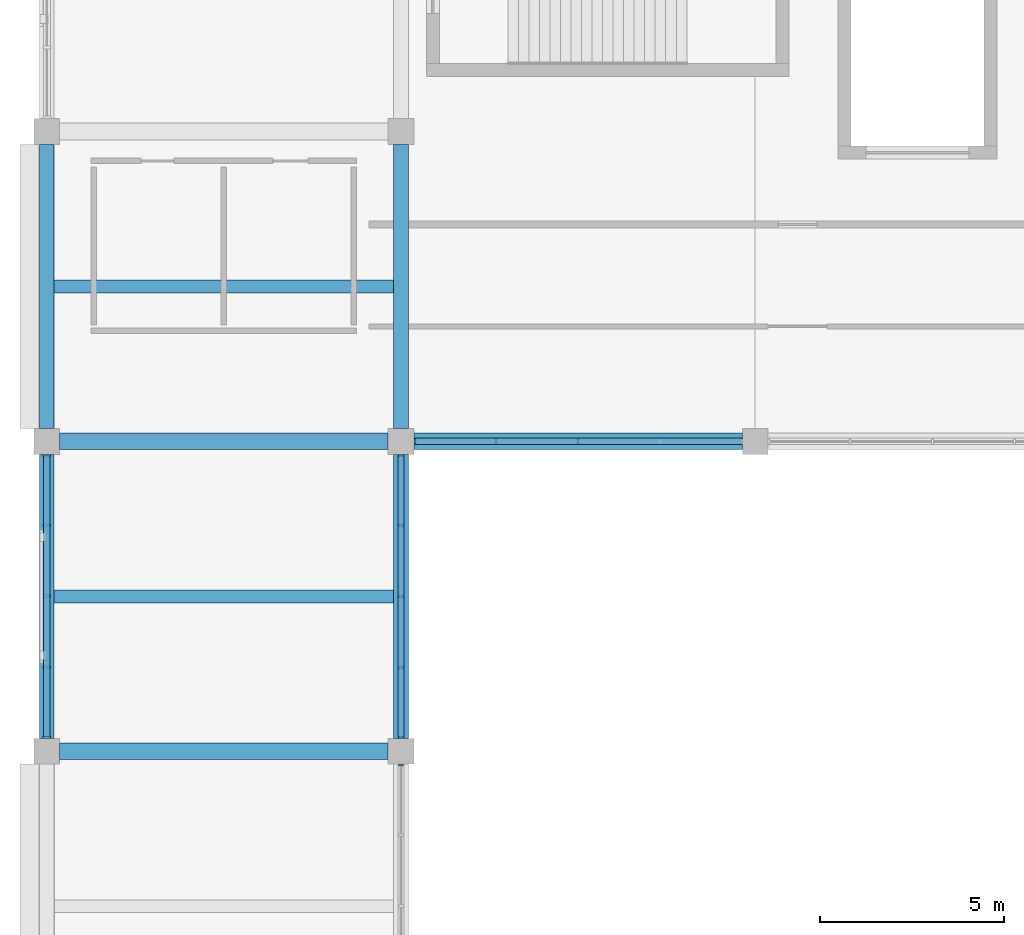
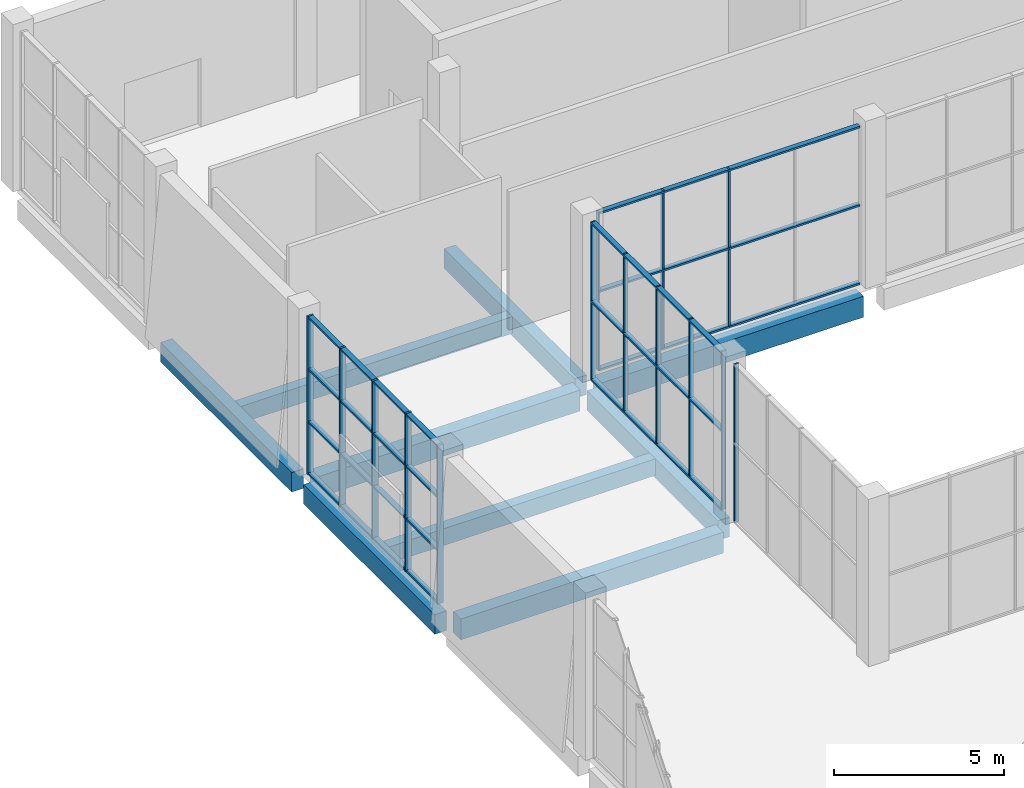
# One storey, part 22 of 84: 24 members, 9 beams, 4 elements without a shape of their own.
"""IFC4 building model written with IfcOpenShell, lengths in metres."""

from ifc_helpers import new_model, si_unit, direction, frame, origin, origin_2d, place, context, subcontext, project, spatial, rectangle, extrude, material, material_profile, profile_set, type_object, element, aggregate, save


model = new_model("IFC4")

# Units and contexts
model_context = context("Model", 3, precision=1e-05, world=origin(), true_north=direction((0.0, 1.0)))
body_context = subcontext(model_context, "Body", "Model", "MODEL_VIEW")
ifc_project = project(units=[si_unit("LENGTHUNIT", "METRE"), si_unit("AREAUNIT", "SQUARE_METRE"), si_unit("VOLUMEUNIT", "CUBIC_METRE"), si_unit("PLANEANGLEUNIT", "RADIAN"), si_unit("MASSUNIT", "GRAM", prefix="KILO")], contexts=[model_context])

# Site, building, storey
site_placement = place(None, origin())
site = spatial("IfcSite", under=ifc_project, at=site_placement, CompositionType="ELEMENT")
building_placement = place(site_placement, origin())
building = spatial("IfcBuilding", under=site, at=building_placement, Name="Shalvenor Court Art Gallery", CompositionType="ELEMENT")
storey_placement = place(building_placement, origin())
storey = spatial("IfcBuildingStorey", under=building, at=storey_placement, Name="L00", CompositionType="ELEMENT", Elevation=0.0)

# Beams
ifc_material_1 = material(Name="Concrete C40/50", Category="concrete")
ifc_material_profile_1 = material_profile(ifc_material_1, rectangle(XDim=0.449951171875, YDim=0.75, at=origin_2d()), Name="RC 450x750")
ifc_profile_set_1 = profile_set([ifc_material_profile_1], Name="Concrete C40/50")
beam_type_1 = type_object("IfcBeamType", Name="B-04", PredefinedType="BEAM", material=ifc_profile_set_1)
for number, where, z_axis, x_axis, name in (
    (1, (0.35009765625, 97.199951171875, -0.715087890625), (1.0, 0.0, 0.0), (0.0, 1.0, 0.0), "L00 Girder BM-L00-B-04-0237"),
    (2, (0.35009765625, 105.60009765625, -0.715087890625), (1.0, 0.0, 0.0), (0.0, 1.0, 0.0), "L00 Girder BM-L00-B-04-0251"),
):
    element("IfcBeam", number, at=place(storey_placement, frame(where, z_axis=z_axis, x_axis=x_axis)), inside=storey, type_object=beam_type_1, Name=name, PredefinedType="BEAM", context=body_context, shape_type="SweptSolid", body=[
        extrude(rectangle(XDim=0.449951171875, YDim=0.75, at=origin_2d()), origin(), (0.0, 0.0, 1.0), 8.89990234375),
    ])
beam_placement = place(storey_placement, frame((9.949951171875, 105.60009765625, -0.715087890625), z_axis=(1.0, 0.0, 0.0), x_axis=(0.0, 1.0, 0.0)))
element("IfcBeam", 3, at=beam_placement, inside=storey, type_object=beam_type_1, Name="L00 Girder BM-L00-B-04-0252", PredefinedType="BEAM", context=body_context, shape_type="SweptSolid", body=[
    extrude(rectangle(XDim=0.449951171875, YDim=0.75, at=origin_2d()), origin(), (0.0, 0.0, 1.0), 8.900146484375),
])
ifc_material_2 = material(Name="Concrete C40/50", Category="concrete")
ifc_material_profile_2 = material_profile(ifc_material_2, rectangle(XDim=0.39990234375, YDim=0.699951171875, at=origin_2d()), Name="RC 400x700")
ifc_profile_set_2 = profile_set([ifc_material_profile_2], Name="Concrete C40/50")
beam_type_2 = type_object("IfcBeamType", Name="B-05", PredefinedType="BEAM", material=ifc_profile_set_2)
for number, where, z_axis, x_axis, name in (
    (4, (0.0, 97.550048828125, -0.68994140625), (0.0, 1.0, 0.0), (-1.0, 0.0, 0.0), "L00 Girder BM-L00-B-05-0007"),
    (5, (0.0, 105.949951171875, -0.68994140625), (0.0, 1.0, 0.0), (-1.0, 0.0, 0.0), "L00 Girder BM-L00-B-05-0008"),
    (6, (9.60009765625, 97.550048828125, -0.68994140625), (0.0, 1.0, 0.0), (-1.0, 0.0, 0.0), "L00 Girder BM-L00-B-05-0015"),
    (7, (9.60009765625, 105.949951171875, -0.68994140625), (0.0, 1.0, 0.0), (-1.0, 0.0, 0.0), "L00 Girder BM-L00-B-05-0016"),
):
    element("IfcBeam", number, at=place(storey_placement, frame(where, z_axis=z_axis, x_axis=x_axis)), inside=storey, type_object=beam_type_2, Name=name, PredefinedType="BEAM", context=body_context, shape_type="SweptSolid", body=[
        extrude(rectangle(XDim=0.39990234375, YDim=0.699951171875, at=origin_2d()), origin(), (0.0, 0.0, 1.0), 7.699951171875),
    ])

# Curtain wall, members
ifc_material_3 = material(Name="Anodised aluminium and low-iron glass curtain wall", Category="aluminium")
curtain_wall_type_1 = type_object("IfcCurtainWallType", Name="CW-4x3-77-57-221", PredefinedType="USERDEFINED", material=ifc_material_3)
curtain_wall_1_placement = place(storey_placement, origin())
curtain_wall_1 = element("IfcCurtainWall", 8, at=curtain_wall_1_placement, inside=storey, type_object=curtain_wall_type_1, Name="L00 V5 Curtain Wall CW-L00-157", ObjectType="CURTAIN WALL", PredefinedType="USERDEFINED")
ifc_material_4 = material(Name="Anodised aluminium mullion", Category="aluminium")
ifc_material_profile_3 = material_profile(ifc_material_4, rectangle(XDim=0.070068359375, YDim=0.199951171875, at=origin_2d()), Name="CWM-02")
ifc_profile_set_3 = profile_set([ifc_material_profile_3], Name="Anodised aluminium mullion")
member_type_1 = type_object("IfcMemberType", Name="CWM-02", PredefinedType="MULLION", material=ifc_profile_set_3)
member_1_placement = place(storey_placement, frame((0.0, 97.5849609375, 0.0), z_axis=(0.0, 0.0, 1.0), x_axis=(0.0, 1.0, 0.0)))
member_1 = element("IfcMember", 9, at=member_1_placement, type_object=member_type_1, Name="CW-4x3-77-57-221 mullion 1", PredefinedType="MULLION", context=body_context, shape_type="SweptSolid", body=[
    extrude(rectangle(XDim=0.070068359375, YDim=0.199951171875, at=origin_2d()), origin(), (0.0, 0.0, 1.0), 5.679931640625),
])
member_2_placement = place(storey_placement, frame((0.0, 99.47509765625, 0.0), z_axis=(0.0, 0.0, 1.0), x_axis=(0.0, 1.0, 0.0)))
member_2 = element("IfcMember", 10, at=member_2_placement, type_object=member_type_1, Name="CW-4x3-77-57-221 mullion 2", PredefinedType="MULLION", context=body_context, shape_type="SweptSolid", body=[
    extrude(rectangle(XDim=0.070068359375, YDim=0.199951171875, at=origin_2d()), origin(), (0.0, 0.0, 1.0), 5.679931640625),
])
member_3_placement = place(storey_placement, frame((0.0, 101.39990234375, 0.0), z_axis=(0.0, 0.0, 1.0), x_axis=(0.0, 1.0, 0.0)))
member_3 = element("IfcMember", 11, at=member_3_placement, type_object=member_type_1, Name="CW-4x3-77-57-221 mullion 3", PredefinedType="MULLION", context=body_context, shape_type="SweptSolid", body=[
    extrude(rectangle(XDim=0.070068359375, YDim=0.199951171875, at=origin_2d()), origin(), (0.0, 0.0, 1.0), 5.679931640625),
])
member_4_placement = place(storey_placement, frame((0.0, 103.324951171875, 0.0), z_axis=(0.0, 0.0, 1.0), x_axis=(0.0, 1.0, 0.0)))
member_4 = element("IfcMember", 12, at=member_4_placement, type_object=member_type_1, Name="CW-4x3-77-57-221 mullion 4", PredefinedType="MULLION", context=body_context, shape_type="SweptSolid", body=[
    extrude(rectangle(XDim=0.070068359375, YDim=0.199951171875, at=origin_2d()), origin(), (0.0, 0.0, 1.0), 5.679931640625),
])
member_5_placement = place(storey_placement, frame((0.0, 105.215087890625, 0.0), z_axis=(0.0, 0.0, 1.0), x_axis=(0.0, 1.0, 0.0)))
member_5 = element("IfcMember", 13, at=member_5_placement, type_object=member_type_1, Name="CW-4x3-77-57-221 mullion 5", PredefinedType="MULLION", context=body_context, shape_type="SweptSolid", body=[
    extrude(rectangle(XDim=0.070068359375, YDim=0.199951171875, at=origin_2d()), origin(), (0.0, 0.0, 1.0), 5.679931640625),
])

ifc_material_5 = material(Name="Anodised aluminium and low-iron glass curtain wall", Category="aluminium")
curtain_wall_type_2 = type_object("IfcCurtainWallType", Name="CW-CT-4-89", PredefinedType="USERDEFINED", material=ifc_material_5)
curtain_wall_2_placement = place(storey_placement, origin())
curtain_wall_2 = element("IfcCurtainWall", 14, at=curtain_wall_2_placement, inside=storey, type_object=curtain_wall_type_2, Name="L00 Studios Courtyard Curtain Wall CW-CRT-L00-164", ObjectType="CURTAIN WALL", PredefinedType="USERDEFINED")
ifc_material_6 = material(Name="Anodised aluminium mullion", Category="aluminium")
ifc_material_profile_4 = material_profile(ifc_material_6, rectangle(XDim=0.054931640625, YDim=0.139892578125, at=origin_2d()), Name="CWM-06")
ifc_profile_set_4 = profile_set([ifc_material_profile_4], Name="Anodised aluminium mullion")
member_type_2 = type_object("IfcMemberType", Name="CWM-06", PredefinedType="MULLION", material=ifc_profile_set_4)
member_6_placement = place(storey_placement, frame((14.39990234375, 105.60009765625, 0.0), z_axis=(0.0, 0.0, 1.0), x_axis=(-1.0, 0.0, 0.0)))
member_6 = element("IfcMember", 15, at=member_6_placement, type_object=member_type_2, Name="CW-CT-4-89 mullion 3", PredefinedType="MULLION", context=body_context, shape_type="SweptSolid", body=[
    extrude(rectangle(XDim=0.054931640625, YDim=0.139892578125, at=origin_2d()), origin(), (0.0, 0.0, 1.0), 5.679931640625),
])
member_7_placement = place(storey_placement, frame((12.175048828125, 105.60009765625, 0.0), z_axis=(0.0, 0.0, 1.0), x_axis=(-1.0, 0.0, 0.0)))
member_7 = element("IfcMember", 16, at=member_7_placement, type_object=member_type_2, Name="CW-CT-4-89 mullion 4", PredefinedType="MULLION", context=body_context, shape_type="SweptSolid", body=[
    extrude(rectangle(XDim=0.054931640625, YDim=0.139892578125, at=origin_2d()), origin(), (0.0, 0.0, 1.0), 5.679931640625),
])
member_8_placement = place(storey_placement, frame((9.9775390625, 105.60009765625, 0.0), z_axis=(0.0, 0.0, 1.0), x_axis=(-1.0, 0.0, 0.0)))
member_8 = element("IfcMember", 17, at=member_8_placement, type_object=member_type_2, Name="CW-CT-4-89 mullion 5", PredefinedType="MULLION", context=body_context, shape_type="SweptSolid", body=[
    extrude(rectangle(XDim=0.054931640625, YDim=0.139892578125, at=origin_2d()), origin(), (0.0, 0.0, 1.0), 5.679931640625),
])

ifc_material_7 = material(Name="Anodised aluminium and low-iron glass curtain wall", Category="aluminium")
curtain_wall_type_3 = type_object("IfcCurtainWallType", Name="CW-CT-4-77", PredefinedType="USERDEFINED", material=ifc_material_7)
curtain_wall_3_placement = place(storey_placement, origin())
curtain_wall_3 = element("IfcCurtainWall", 18, at=curtain_wall_3_placement, inside=storey, type_object=curtain_wall_type_3, Name="L00 Studios Courtyard Curtain Wall CW-CRT-L00-165", ObjectType="CURTAIN WALL", PredefinedType="USERDEFINED")
member_9_placement = place(storey_placement, frame((9.60009765625, 105.222412109375, 0.0), z_axis=(0.0, 0.0, 1.0), x_axis=(0.0, -1.0, 0.0)))
member_9 = element("IfcMember", 19, at=member_9_placement, type_object=member_type_2, Name="CW-CT-4-77 mullion 1", PredefinedType="MULLION", context=body_context, shape_type="SweptSolid", body=[
    extrude(rectangle(XDim=0.054931640625, YDim=0.139892578125, at=origin_2d()), origin(), (0.0, 0.0, 1.0), 5.679931640625),
])
member_10_placement = place(storey_placement, frame((9.60009765625, 103.324951171875, 0.0), z_axis=(0.0, 0.0, 1.0), x_axis=(0.0, -1.0, 0.0)))
member_10 = element("IfcMember", 20, at=member_10_placement, type_object=member_type_2, Name="CW-CT-4-77 mullion 2", PredefinedType="MULLION", context=body_context, shape_type="SweptSolid", body=[
    extrude(rectangle(XDim=0.054931640625, YDim=0.139892578125, at=origin_2d()), origin(), (0.0, 0.0, 1.0), 5.679931640625),
])
member_11_placement = place(storey_placement, frame((9.60009765625, 101.39990234375, 0.0), z_axis=(0.0, 0.0, 1.0), x_axis=(0.0, -1.0, 0.0)))
member_11 = element("IfcMember", 21, at=member_11_placement, type_object=member_type_2, Name="CW-CT-4-77 mullion 3", PredefinedType="MULLION", context=body_context, shape_type="SweptSolid", body=[
    extrude(rectangle(XDim=0.054931640625, YDim=0.139892578125, at=origin_2d()), origin(), (0.0, 0.0, 1.0), 5.679931640625),
])
member_12_placement = place(storey_placement, frame((9.60009765625, 99.47509765625, 0.0), z_axis=(0.0, 0.0, 1.0), x_axis=(0.0, -1.0, 0.0)))
member_12 = element("IfcMember", 22, at=member_12_placement, type_object=member_type_2, Name="CW-CT-4-77 mullion 4", PredefinedType="MULLION", context=body_context, shape_type="SweptSolid", body=[
    extrude(rectangle(XDim=0.054931640625, YDim=0.139892578125, at=origin_2d()), origin(), (0.0, 0.0, 1.0), 5.679931640625),
])
member_13_placement = place(storey_placement, frame((9.60009765625, 97.577392578125, 0.0), z_axis=(0.0, 0.0, 1.0), x_axis=(0.0, -1.0, 0.0)))
member_13 = element("IfcMember", 23, at=member_13_placement, type_object=member_type_2, Name="CW-CT-4-77 mullion 5", PredefinedType="MULLION", context=body_context, shape_type="SweptSolid", body=[
    extrude(rectangle(XDim=0.054931640625, YDim=0.139892578125, at=origin_2d()), origin(), (0.0, 0.0, 1.0), 5.679931640625),
])

# Curtain wall, member
curtain_wall_4_placement = place(storey_placement, origin())
curtain_wall_4 = element("IfcCurtainWall", 24, at=curtain_wall_4_placement, inside=storey, type_object=curtain_wall_type_3, Name="L00 Studios Courtyard Curtain Wall CW-CRT-L00-166", ObjectType="CURTAIN WALL", PredefinedType="USERDEFINED")
member_14_placement = place(storey_placement, frame((9.60009765625, 96.822509765625, 0.0), z_axis=(0.0, 0.0, 1.0), x_axis=(0.0, -1.0, 0.0)))
member_14 = element("IfcMember", 25, at=member_14_placement, type_object=member_type_2, Name="CW-CT-4-77 mullion 1", PredefinedType="MULLION", context=body_context, shape_type="SweptSolid", body=[
    extrude(rectangle(XDim=0.054931640625, YDim=0.139892578125, at=origin_2d()), origin(), (0.0, 0.0, 1.0), 5.679931640625),
])
aggregate(curtain_wall_4, [member_14])

# Member
ifc_material_8 = material(Name="Anodised aluminium transom", Category="aluminium")
ifc_material_profile_5 = material_profile(ifc_material_8, rectangle(XDim=0.169921875, YDim=0.06494140625, at=origin_2d()), Name="CWT-02")
ifc_profile_set_5 = profile_set([ifc_material_profile_5], Name="Anodised aluminium transom")
member_type_3 = type_object("IfcMemberType", Name="CWT-02", PredefinedType="USERDEFINED", material=ifc_profile_set_5)
member_15_placement = place(storey_placement, frame((0.0, 97.5849609375, 0.032470703125), z_axis=(0.0, 1.0, 0.0), x_axis=(-1.0, 0.0, 0.0)))
member_15 = element("IfcMember", 26, at=member_15_placement, type_object=member_type_3, Name="CW-4x3-77-57-221 transom 1", ObjectType="TRANSOM", PredefinedType="USERDEFINED", context=body_context, shape_type="SweptSolid", body=[
    extrude(rectangle(XDim=0.169921875, YDim=0.06494140625, at=origin_2d()), origin(), (0.0, 0.0, 1.0), 7.630126953125),
])

member_16_placement = place(storey_placement, frame((0.0, 97.5849609375, 1.893310546875), z_axis=(0.0, 1.0, 0.0), x_axis=(-1.0, 0.0, 0.0)))
member_16 = element("IfcMember", 27, at=member_16_placement, type_object=member_type_3, Name="CW-4x3-77-57-221 transom 2", ObjectType="TRANSOM", PredefinedType="USERDEFINED", context=body_context, shape_type="SweptSolid", body=[
    extrude(rectangle(XDim=0.169921875, YDim=0.06494140625, at=origin_2d()), origin(), (0.0, 0.0, 1.0), 7.630126953125),
])

member_17_placement = place(storey_placement, frame((0.0, 97.5849609375, 3.78662109375), z_axis=(0.0, 1.0, 0.0), x_axis=(-1.0, 0.0, 0.0)))
member_17 = element("IfcMember", 28, at=member_17_placement, type_object=member_type_3, Name="CW-4x3-77-57-221 transom 3", ObjectType="TRANSOM", PredefinedType="USERDEFINED", context=body_context, shape_type="SweptSolid", body=[
    extrude(rectangle(XDim=0.169921875, YDim=0.06494140625, at=origin_2d()), origin(), (0.0, 0.0, 1.0), 7.630126953125),
])

member_18_placement = place(storey_placement, frame((0.0, 97.5849609375, 5.6474609375), z_axis=(0.0, 1.0, 0.0), x_axis=(-1.0, 0.0, 0.0)))
member_18 = element("IfcMember", 29, at=member_18_placement, type_object=member_type_3, Name="CW-4x3-77-57-221 transom 4", ObjectType="TRANSOM", PredefinedType="USERDEFINED", context=body_context, shape_type="SweptSolid", body=[
    extrude(rectangle(XDim=0.169921875, YDim=0.06494140625, at=origin_2d()), origin(), (0.0, 0.0, 1.0), 7.630126953125),
])

aggregate(curtain_wall_1, [member_1, member_2, member_3, member_4, member_5, member_15, member_16, member_17, member_18])

member_19_placement = place(storey_placement, frame((18.822509765625, 105.60009765625, 0.032470703125), z_axis=(-1.0, 0.0, 0.0), x_axis=(0.0, -1.0, 0.0)))
member_19 = element("IfcMember", 30, at=member_19_placement, type_object=member_type_3, Name="CW-CT-4-89 transom 1", ObjectType="TRANSOM", PredefinedType="USERDEFINED", context=body_context, shape_type="SweptSolid", body=[
    extrude(rectangle(XDim=0.169921875, YDim=0.06494140625, at=origin_2d()), origin(), (0.0, 0.0, 1.0), 8.844970703125),
])

member_20_placement = place(storey_placement, frame((18.822509765625, 105.60009765625, 2.840087890625), z_axis=(-1.0, 0.0, 0.0), x_axis=(0.0, -1.0, 0.0)))
member_20 = element("IfcMember", 31, at=member_20_placement, type_object=member_type_3, Name="CW-CT-4-89 transom 2", ObjectType="TRANSOM", PredefinedType="USERDEFINED", context=body_context, shape_type="SweptSolid", body=[
    extrude(rectangle(XDim=0.169921875, YDim=0.06494140625, at=origin_2d()), origin(), (0.0, 0.0, 1.0), 8.844970703125),
])

member_21_placement = place(storey_placement, frame((18.822509765625, 105.60009765625, 5.6474609375), z_axis=(-1.0, 0.0, 0.0), x_axis=(0.0, -1.0, 0.0)))
member_21 = element("IfcMember", 32, at=member_21_placement, type_object=member_type_3, Name="CW-CT-4-89 transom 3", ObjectType="TRANSOM", PredefinedType="USERDEFINED", context=body_context, shape_type="SweptSolid", body=[
    extrude(rectangle(XDim=0.169921875, YDim=0.06494140625, at=origin_2d()), origin(), (0.0, 0.0, 1.0), 8.844970703125),
])

aggregate(curtain_wall_2, [member_6, member_7, member_8, member_19, member_20, member_21])

member_22_placement = place(storey_placement, frame((9.60009765625, 105.222412109375, 0.032470703125), z_axis=(0.0, -1.0, 0.0), x_axis=(1.0, 0.0, 0.0)))
member_22 = element("IfcMember", 33, at=member_22_placement, type_object=member_type_3, Name="CW-CT-4-77 transom 1", ObjectType="TRANSOM", PredefinedType="USERDEFINED", context=body_context, shape_type="SweptSolid", body=[
    extrude(rectangle(XDim=0.169921875, YDim=0.06494140625, at=origin_2d()), origin(), (0.0, 0.0, 1.0), 7.64501953125),
])

member_23_placement = place(storey_placement, frame((9.60009765625, 105.222412109375, 2.840087890625), z_axis=(0.0, -1.0, 0.0), x_axis=(1.0, 0.0, 0.0)))
member_23 = element("IfcMember", 34, at=member_23_placement, type_object=member_type_3, Name="CW-CT-4-77 transom 2", ObjectType="TRANSOM", PredefinedType="USERDEFINED", context=body_context, shape_type="SweptSolid", body=[
    extrude(rectangle(XDim=0.169921875, YDim=0.06494140625, at=origin_2d()), origin(), (0.0, 0.0, 1.0), 7.64501953125),
])

member_24_placement = place(storey_placement, frame((9.60009765625, 105.222412109375, 5.6474609375), z_axis=(0.0, -1.0, 0.0), x_axis=(1.0, 0.0, 0.0)))
member_24 = element("IfcMember", 35, at=member_24_placement, type_object=member_type_3, Name="CW-CT-4-77 transom 3", ObjectType="TRANSOM", PredefinedType="USERDEFINED", context=body_context, shape_type="SweptSolid", body=[
    extrude(rectangle(XDim=0.169921875, YDim=0.06494140625, at=origin_2d()), origin(), (0.0, 0.0, 1.0), 7.64501953125),
])

aggregate(curtain_wall_3, [member_9, member_10, member_11, member_12, member_13, member_22, member_23, member_24])

# Beams
ifc_material_9 = material(Name="Concrete C40/50", Category="concrete")
ifc_material_profile_6 = material_profile(ifc_material_9, rectangle(XDim=0.35009765625, YDim=0.60009765625, at=origin_2d()), Name="RC 350x600")
ifc_profile_set_6 = profile_set([ifc_material_profile_6], Name="Concrete C40/50")
beam_type_3 = type_object("IfcBeamType", Name="J-01", PredefinedType="JOIST", material=ifc_profile_set_6)
for number, where, z_axis, x_axis, name in (
    (36, (0.199951171875, 101.39990234375, -0.639892578125), (1.0, 0.0, 0.0), (0.0, 1.0, 0.0), "L00 Secondary Beam JST-L00-J-01-0284"),
    (37, (0.199951171875, 109.800048828125, -0.639892578125), (1.0, 0.0, 0.0), (0.0, 1.0, 0.0), "L00 Secondary Beam JST-L00-J-01-0285"),
):
    element("IfcBeam", number, at=place(storey_placement, frame(where, z_axis=z_axis, x_axis=x_axis)), inside=storey, type_object=beam_type_3, Name=name, PredefinedType="JOIST", context=body_context, shape_type="SweptSolid", body=[
        extrude(rectangle(XDim=0.35009765625, YDim=0.60009765625, at=origin_2d()), origin(), (0.0, 0.0, 1.0), 9.199951171875),
    ])

save(model, "model.ifc")
